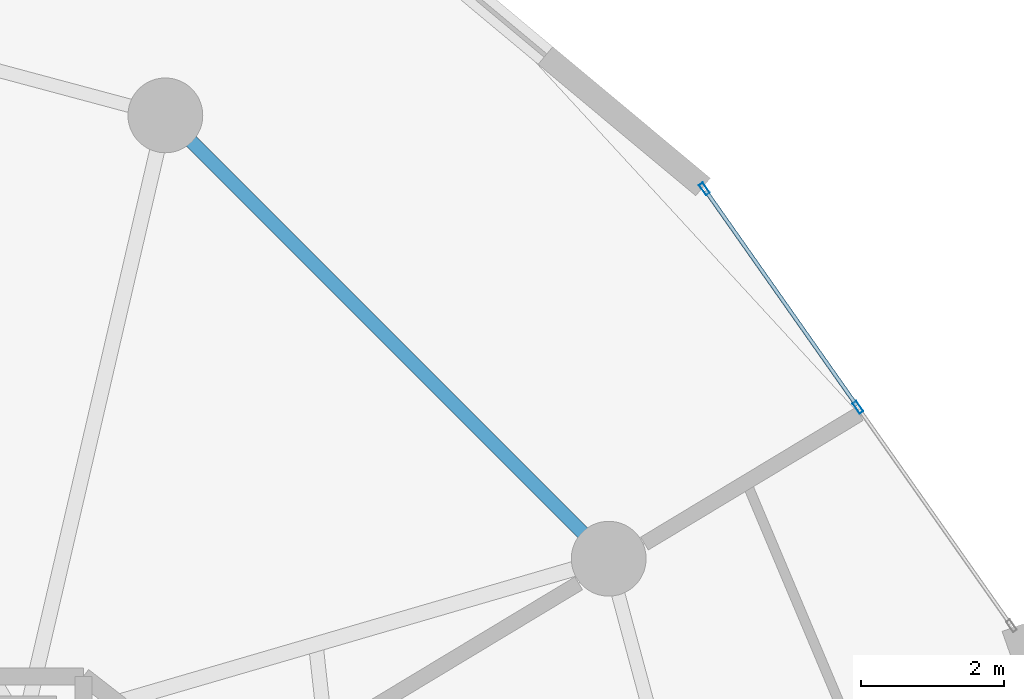
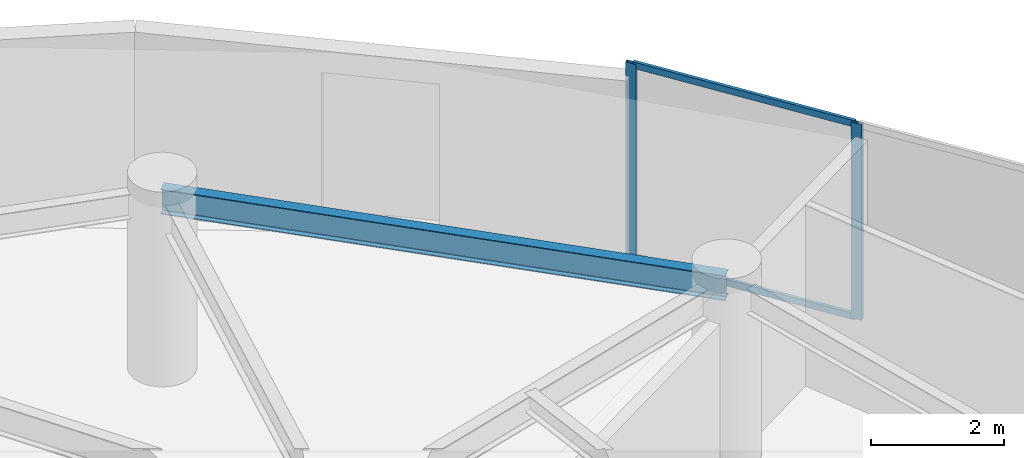
# One storey, part 16 of 22: 4 members, 1 beam, 1 element without a shape of its own.
"""IFC4 building model written with IfcOpenShell, lengths in metres."""

from ifc_helpers import new_model, si_unit, direction, frame, origin, origin_2d, place, context, subcontext, project, spatial, hollow_rectangle, i_section, extrude, source, transform, mapped, material, layer, layer_set, material_profile, profile_set, type_object, element, aggregate, save


model = new_model("IFC4")

# Units and contexts
model_context = context("Model", 3, precision=1e-05, world=origin(), true_north=direction((0.0, 1.0)))
body_context = subcontext(model_context, "Body", "Model", "MODEL_VIEW")
ifc_project = project(units=[si_unit("LENGTHUNIT", "METRE"), si_unit("AREAUNIT", "SQUARE_METRE"), si_unit("VOLUMEUNIT", "CUBIC_METRE"), si_unit("PLANEANGLEUNIT", "RADIAN"), si_unit("MASSUNIT", "GRAM", prefix="KILO")], contexts=[model_context])

# Site, building, storey
site_placement = place(None, origin())
site = spatial("IfcSite", under=ifc_project, at=site_placement, CompositionType="ELEMENT")
building_placement = place(site_placement, origin())
building = spatial("IfcBuilding", under=site, at=building_placement, Name="Solvirekh Grand Hotel", CompositionType="ELEMENT")
storey_placement = place(building_placement, frame((0.0, 0.0, 153.0)))
storey = spatial("IfcBuildingStorey", under=building, at=storey_placement, Name="L39", CompositionType="ELEMENT", Elevation=153.0)

# Beam
ifc_material_1 = material(Name="Steel S355", Category="steel")
ifc_material_profile_1 = material_profile(ifc_material_1, i_section(OverallWidth=0.18994140625, OverallDepth=0.45703125, WebThickness=0.009033203125, FlangeThickness=0.013916015625, FilletRadius=0.012939453125, at=origin_2d()), Name="W460X74")
ifc_profile_set_1 = profile_set([ifc_material_profile_1], Name="Steel S355")
beam_type = type_object("IfcBeamType", Name="Spandrel_Ring_W460", PredefinedType="SPANDREL", material=ifc_profile_set_1)
beam_placement = place(storey_placement, frame((14.721923828125, 8.5, 3.12109375), z_axis=(-0.707106781187, 0.707106781187, 0.0), x_axis=(-0.707106781187, -0.707106781187, 0.0)))
element("IfcBeam", 1, at=beam_placement, inside=storey, type_object=beam_type, Name="L39 perimeter spandrel beam 2", PredefinedType="SPANDREL", context=body_context, shape_type="SweptSolid", body=[
    extrude(i_section(OverallWidth=0.18994140625, OverallDepth=0.45703125, WebThickness=0.009033203125, FlangeThickness=0.013916015625, FilletRadius=0.012939453125, at=origin_2d()), origin(), (0.0, 0.0, 1.0), 8.799072265625),
])

# Curtain wall, members
ifc_material_2 = material(Name="Anodized Bronze Aluminium 6063-T6", Category="aluminium")
ifc_layer = layer(ifc_material_2, 0.175048828125)
ifc_layer_set = layer_set([ifc_layer], Name="Anodized Bronze Aluminium 6063-T6")
curtain_wall_type = type_object("IfcCurtainWallType", Name="CW_Sys3_MidZoneFlushBronzeCW", PredefinedType="NOTDEFINED", material=ifc_layer_set)
curtain_wall_placement = place(storey_placement, origin())
curtain_wall = element("IfcCurtainWall", 2, at=curtain_wall_placement, inside=storey, type_object=curtain_wall_type, Name="L39 unitised bronze-glass curtain wall CW-L39-C05", PredefinedType="NOTDEFINED")
ifc_material_profile_2 = material_profile(ifc_material_2, hollow_rectangle(XDim=0.054931640625, YDim=0.1201171875, WallThickness=0.00390625, at=origin_2d()), Name="ALU RHS 120X55X4")
ifc_profile_set_2 = profile_set([ifc_material_profile_2], Name="Anodized Bronze Aluminium 6063-T6")
member_type_1 = type_object("IfcMemberType", Name="CWTransom_Sys3", PredefinedType="USERDEFINED", material=ifc_profile_set_2)
shared_shape_1 = source(origin(), body_context, "Body", "SweptSolid", [
    extrude(hollow_rectangle(XDim=0.054931640625, YDim=0.1201171875, WallThickness=0.00390625, at=origin_2d()), origin(), (0.0, 0.0, 1.0), 3.681884765625),
])
member_1_placement = place(storey_placement, frame((18.200927734375, 10.651611328125, 0.027587890625), z_axis=(-0.575081073511, 0.818096423956, 0.0), x_axis=(-0.818096423956, -0.575081073511, 0.0)))
member_1 = element("IfcMember", 3, at=member_1_placement, type_object=member_type_1, Name="U03 transom 2.1", ObjectType="TRANSOM", PredefinedType="USERDEFINED", context=body_context, shape_type="MappedRepresentation", body=[
    mapped(shared_shape_1, transform((0.0, 0.0, 0.0), x_axis=(1.0, 0.0, 0.0), y_axis=(0.0, 1.0, 0.0), z_axis=(0.0, 0.0, 1.0), scale=1.0)),
])
member_2_placement = place(storey_placement, frame((18.200927734375, 10.651611328125, 3.572509765625), z_axis=(-0.575081073511, 0.818096423956, 0.0), x_axis=(-0.818096423956, -0.575081073511, 0.0)))
member_2 = element("IfcMember", 4, at=member_2_placement, type_object=member_type_1, Name="U03 transom 2.2", ObjectType="TRANSOM", PredefinedType="USERDEFINED", context=body_context, shape_type="MappedRepresentation", body=[
    mapped(shared_shape_1, transform((0.0, 0.0, 0.0), x_axis=(1.0, 0.0, 0.0), y_axis=(0.0, 1.0, 0.0), z_axis=(0.0, 0.0, 1.0), scale=1.0)),
])
ifc_material_profile_3 = material_profile(ifc_material_2, hollow_rectangle(XDim=0.06494140625, YDim=0.175048828125, WallThickness=0.0048828125, at=origin_2d()), Name="ALU RHS 175X65X5")
ifc_profile_set_3 = profile_set([ifc_material_profile_3], Name="Anodized Bronze Aluminium 6063-T6")
member_type_2 = type_object("IfcMemberType", Name="CWMullion_Sys3", PredefinedType="MULLION", material=ifc_profile_set_3)
shared_shape_2 = source(origin(), body_context, "Body", "SweptSolid", [
    extrude(hollow_rectangle(XDim=0.06494140625, YDim=0.175048828125, WallThickness=0.0048828125, at=origin_2d()), origin(), (0.0, 0.0, 1.0), 3.60009765625),
])
member_3_placement = place(storey_placement, frame((18.219482421875, 10.625, 0.0), z_axis=(0.0, 0.0, 1.0), x_axis=(-0.818099178289, -0.575077155244, 0.0)))
member_3 = element("IfcMember", 5, at=member_3_placement, type_object=member_type_2, Name="U03 mullion 2", PredefinedType="MULLION", context=body_context, shape_type="MappedRepresentation", body=[
    mapped(shared_shape_2, transform((0.0, 0.0, 0.0), x_axis=(1.0, 0.0, 0.0), y_axis=(0.0, 1.0, 0.0), z_axis=(0.0, 0.0, 1.0), scale=1.0)),
])
member_4_placement = place(storey_placement, frame((16.064697265625, 13.6904296875, 0.0), z_axis=(0.0, 0.0, 1.0), x_axis=(-0.818099178289, -0.575077155244, 0.0)))
member_4 = element("IfcMember", 6, at=member_4_placement, type_object=member_type_2, Name="U03 mullion 3", PredefinedType="MULLION", context=body_context, shape_type="MappedRepresentation", body=[
    mapped(shared_shape_2, transform((0.0, 0.0, 0.0), x_axis=(1.0, 0.0, 0.0), y_axis=(0.0, 1.0, 0.0), z_axis=(0.0, 0.0, 1.0), scale=1.0)),
])
aggregate(curtain_wall, [member_3, member_4, member_1, member_2])

save(model, "model.ifc")
